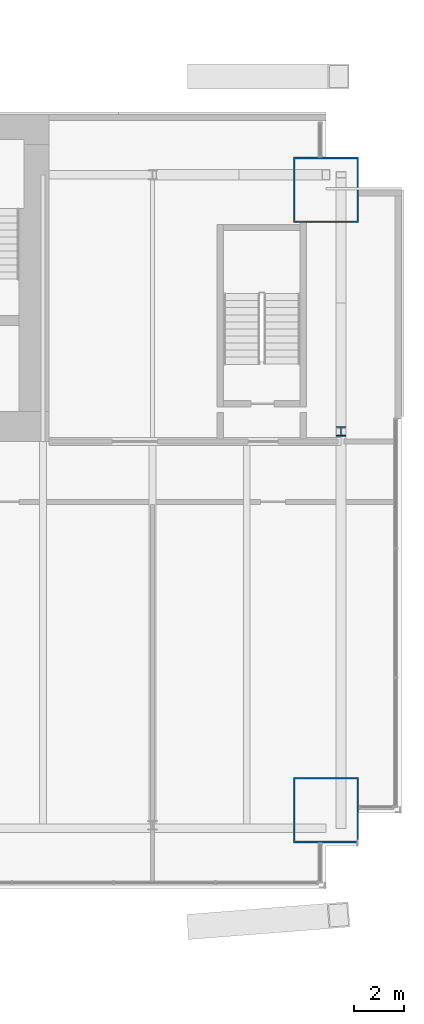
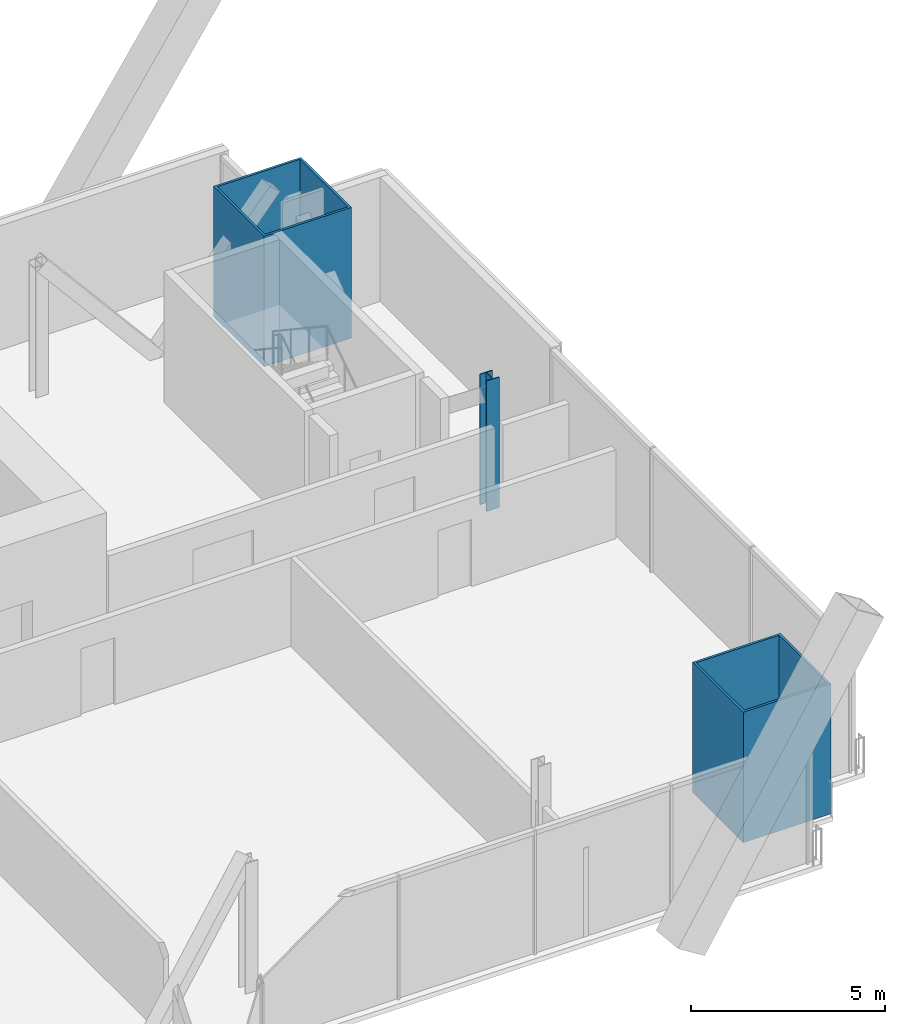
# One storey, part 4 of 20: 3 columns.
"""IFC4 building model written with IfcOpenShell, lengths in metres."""

from ifc_helpers import new_model, si_unit, direction, frame, origin, origin_2d, place, context, subcontext, project, spatial, hollow_rectangle, i_section, extrude, material, material_profile, profile_set, type_object, element, save


model = new_model("IFC4")

# Units and contexts
model_context = context("Model", 3, precision=1e-05, world=origin(), true_north=direction((0.0, 1.0)))
body_context = subcontext(model_context, "Body", "Model", "MODEL_VIEW")
ifc_project = project(units=[si_unit("LENGTHUNIT", "METRE"), si_unit("AREAUNIT", "SQUARE_METRE"), si_unit("VOLUMEUNIT", "CUBIC_METRE"), si_unit("PLANEANGLEUNIT", "RADIAN"), si_unit("MASSUNIT", "GRAM", prefix="KILO")], contexts=[model_context])

# Site, building, storey
site_placement = place(None, origin())
site = spatial("IfcSite", under=ifc_project, at=site_placement, CompositionType="ELEMENT")
building_placement = place(site_placement, origin())
building = spatial("IfcBuilding", under=site, at=building_placement, Name="Bicima Exchange Tower", CompositionType="ELEMENT")
storey_placement = place(building_placement, frame((0.0, 0.0, 231.89990234375)))
storey = spatial("IfcBuildingStorey", under=building, at=storey_placement, Name="L52", CompositionType="ELEMENT", Elevation=231.89990234375)

# Columns
ifc_material_1 = material(Name="Steel ASTM A572 Gr 50", Category="steel")
ifc_material_profile_1 = material_profile(ifc_material_1, hollow_rectangle(XDim=2.60009765625, YDim=2.60009765625, WallThickness=0.070068359375, at=origin_2d()))
ifc_profile_set_1 = profile_set([ifc_material_profile_1], Name="Steel ASTM A572 Gr 50")
column_type_1 = type_object("IfcColumnType", Name="Mega column BOX 2600x2600x70", PredefinedType="COLUMN", material=ifc_profile_set_1)
for number, where, z_axis, x_axis, name in (
    (1, (33.0, -27.654052734375, 0.0), (0.0, 0.0, 1.0), (1.0, 0.0, 0.0), "Mega column mega+33.0f"),
    (2, (33.0, -3.0, 0.0), (0.0, 0.0, 1.0), (1.0, 0.0, 0.0), "Mega column mega+33.0r"),
):
    element("IfcColumn", number, at=place(storey_placement, frame(where, z_axis=z_axis, x_axis=x_axis)), inside=storey, type_object=column_type_1, Name=name, PredefinedType="COLUMN", context=body_context, shape_type="SweptSolid", body=[
        extrude(hollow_rectangle(XDim=2.60009765625, YDim=2.60009765625, WallThickness=0.070068359375, at=origin_2d()), origin(), (0.0, 0.0, 1.0), 4.10009765625),
    ])
ifc_material_2 = material(Name="Steel ASTM A992 Gr 50", Category="steel")
ifc_material_profile_2 = material_profile(ifc_material_2, i_section(OverallWidth=0.373291015625, OverallDepth=0.373291015625, WebThickness=0.016357421875, FlangeThickness=0.026123046875, at=origin_2d()))
ifc_profile_set_2 = profile_set([ifc_material_profile_2], Name="Steel ASTM A992 Gr 50")
column_type_2 = type_object("IfcColumnType", Name="Perimeter column W14x132", PredefinedType="COLUMN", material=ifc_profile_set_2)
column_placement = place(storey_placement, frame((33.60009765625, -12.60009765625, 0.0), z_axis=(0.0, 0.0, 1.0), x_axis=(1.0, 0.0, 0.0)))
element("IfcColumn", 3, at=column_placement, inside=storey, type_object=column_type_2, Name="End column end+33.6e", PredefinedType="COLUMN", context=body_context, shape_type="SweptSolid", body=[
    extrude(i_section(OverallWidth=0.373291015625, OverallDepth=0.373291015625, WebThickness=0.016357421875, FlangeThickness=0.026123046875, at=origin_2d()), origin(), (0.0, 0.0, 1.0), 4.10009765625),
])

save(model, "model.ifc")
